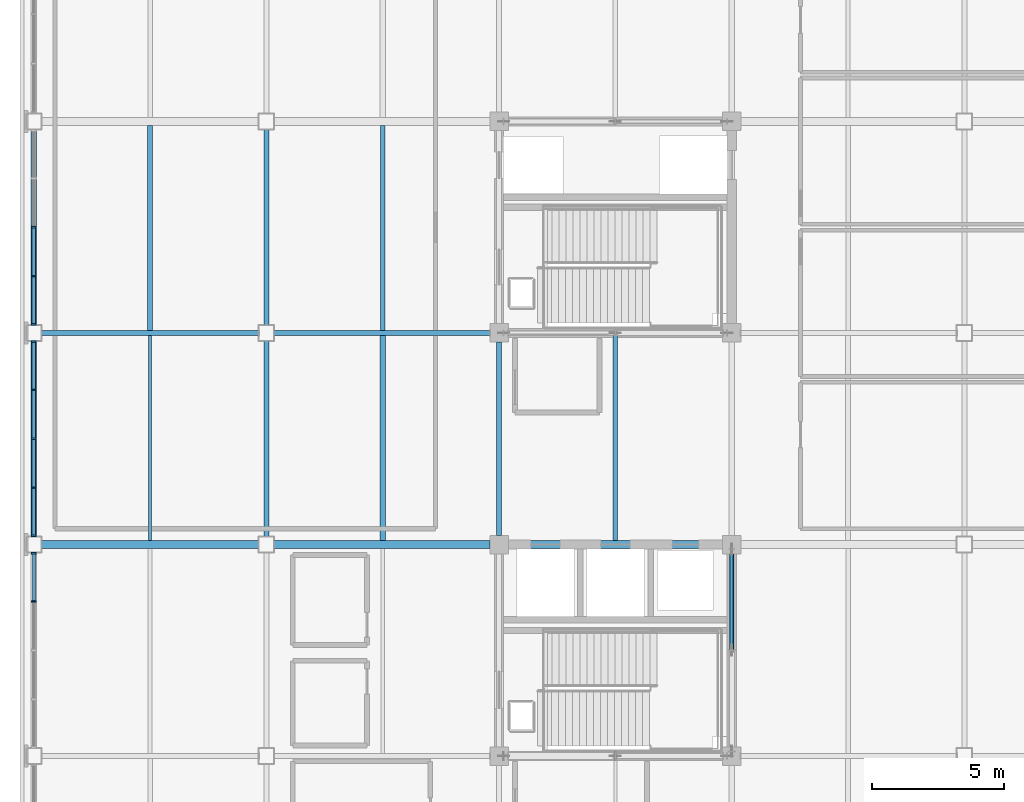
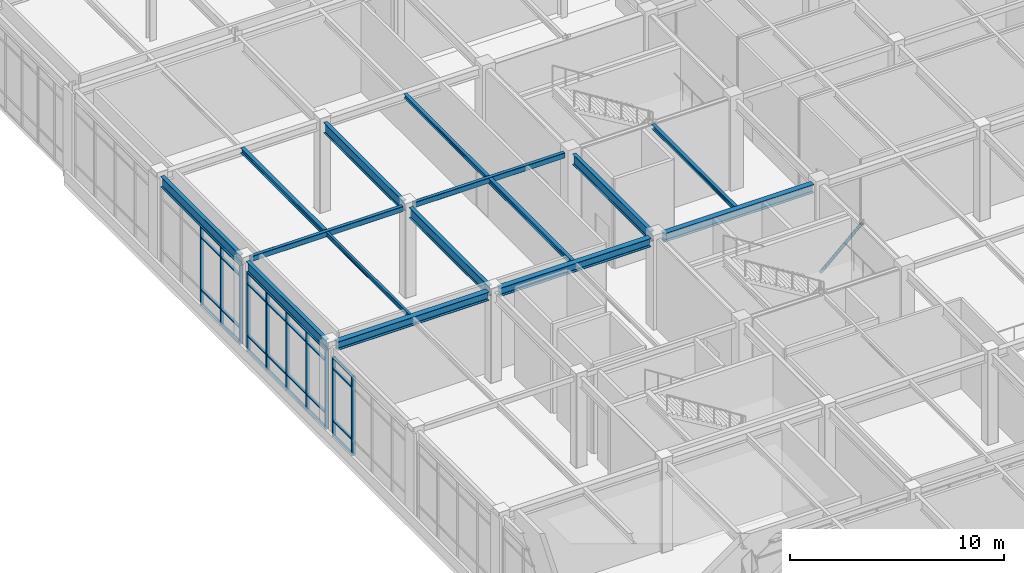
# One storey, part 38 of 184: 39 members, 15 beams, 3 elements without a shape of their own.
"""IFC4 building model written with IfcOpenShell, lengths in metres."""

from ifc_helpers import new_model, si_unit, direction, frame, origin, origin_2d, place, context, subcontext, project, spatial, rectangle, hollow_rectangle, hollow_circle, i_section, extrude, material, material_profile, profile_set, type_object, element, aggregate, save


model = new_model("IFC4")

# Units and contexts
model_context = context("Model", 3, precision=1e-05, world=origin(), true_north=direction((0.0, 1.0)))
body_context = subcontext(model_context, "Body", "Model", "MODEL_VIEW")
ifc_project = project(units=[si_unit("LENGTHUNIT", "METRE"), si_unit("AREAUNIT", "SQUARE_METRE"), si_unit("VOLUMEUNIT", "CUBIC_METRE"), si_unit("PLANEANGLEUNIT", "RADIAN"), si_unit("MASSUNIT", "GRAM", prefix="KILO")], contexts=[model_context])

# Site, building, storey
site_placement = place(None, origin())
site = spatial("IfcSite", under=ifc_project, at=site_placement, CompositionType="ELEMENT")
building_placement = place(site_placement, origin())
building = spatial("IfcBuilding", under=site, at=building_placement, Name="Zhaolan Boulevard Law Courts", CompositionType="ELEMENT")
storey_placement = place(building_placement, frame((0.0, 0.0, 5.39990234375)))
storey = spatial("IfcBuildingStorey", under=building, at=storey_placement, Name="L01", CompositionType="ELEMENT", Elevation=5.39990234375)

# Curtain wall, members
ifc_material_1 = material(Name="Thermally broken aluminium and low-E glazing", Category="aluminium")
curtain_wall_type_1 = type_object("IfcCurtainWallType", Name="CURTAIN WALL M21", PredefinedType="USERDEFINED", material=ifc_material_1)
curtain_wall_1_placement = place(storey_placement, origin())
curtain_wall_1 = element("IfcCurtainWall", 1, at=curtain_wall_1_placement, inside=storey, type_object=curtain_wall_type_1, Name="Curtain Wall CW-L01-141", ObjectType="CURTAIN WALL", PredefinedType="USERDEFINED")
ifc_material_2 = material(Name="Fluorocarbon-coated aluminium 6063-T6", Category="aluminium")
ifc_material_profile_1 = material_profile(ifc_material_2, rectangle(XDim=0.179931640625, YDim=0.06494140625, at=origin_2d()), Name="AL65x180")
ifc_profile_set_1 = profile_set([ifc_material_profile_1], Name="Fluorocarbon-coated aluminium 6063-T6")
member_type_1 = type_object("IfcMemberType", Name="CWMULLION 65X180", PredefinedType="MULLION", material=ifc_profile_set_1)
member_1_placement = place(storey_placement, frame((0.0, 53.66552734375, 0.0), z_axis=(0.0, 0.0, 1.0), x_axis=(1.0, 0.0, 0.0)))
member_1 = element("IfcMember", 2, at=member_1_placement, type_object=member_type_1, Name="CW-L01-141 mullion 1", PredefinedType="MULLION", context=body_context, shape_type="SweptSolid", body=[
    extrude(rectangle(XDim=0.179931640625, YDim=0.06494140625, at=origin_2d()), origin(), (0.0, 0.0, 1.0), 4.523193359375),
])
member_2_placement = place(storey_placement, frame((0.0, 51.84912109375, 0.0), z_axis=(0.0, 0.0, 1.0), x_axis=(1.0, 0.0, 0.0)))
member_2 = element("IfcMember", 3, at=member_2_placement, type_object=member_type_1, Name="CW-L01-141 mullion 2", PredefinedType="MULLION", context=body_context, shape_type="SweptSolid", body=[
    extrude(rectangle(XDim=0.179931640625, YDim=0.06494140625, at=origin_2d()), origin(), (0.0, 0.0, 1.0), 4.523193359375),
])

ifc_material_3 = material(Name="Thermally broken aluminium and low-E glazing", Category="aluminium")
curtain_wall_type_2 = type_object("IfcCurtainWallType", Name="CURTAIN WALL M22", PredefinedType="USERDEFINED", material=ifc_material_3)
curtain_wall_2_placement = place(storey_placement, origin())
curtain_wall_2 = element("IfcCurtainWall", 4, at=curtain_wall_2_placement, inside=storey, type_object=curtain_wall_type_2, Name="Curtain Wall CW-L01-142", ObjectType="CURTAIN WALL", PredefinedType="USERDEFINED")
member_3_placement = place(storey_placement, frame((0.0, 61.66552734375, 0.0), z_axis=(0.0, 0.0, 1.0), x_axis=(1.0, 0.0, 0.0)))
member_3 = element("IfcMember", 5, at=member_3_placement, type_object=member_type_1, Name="CW-L01-142 mullion 1", PredefinedType="MULLION", context=body_context, shape_type="SweptSolid", body=[
    extrude(rectangle(XDim=0.179931640625, YDim=0.06494140625, at=origin_2d()), origin(), (0.0, 0.0, 1.0), 4.523193359375),
])
member_4_placement = place(storey_placement, frame((0.0, 59.84912109375, 0.0), z_axis=(0.0, 0.0, 1.0), x_axis=(1.0, 0.0, 0.0)))
member_4 = element("IfcMember", 6, at=member_4_placement, type_object=member_type_1, Name="CW-L01-142 mullion 2", PredefinedType="MULLION", context=body_context, shape_type="SweptSolid", body=[
    extrude(rectangle(XDim=0.179931640625, YDim=0.06494140625, at=origin_2d()), origin(), (0.0, 0.0, 1.0), 4.523193359375),
])
member_5_placement = place(storey_placement, frame((0.0, 58.0, 0.0), z_axis=(0.0, 0.0, 1.0), x_axis=(1.0, 0.0, 0.0)))
member_5 = element("IfcMember", 7, at=member_5_placement, type_object=member_type_1, Name="CW-L01-142 mullion 3", PredefinedType="MULLION", context=body_context, shape_type="SweptSolid", body=[
    extrude(rectangle(XDim=0.179931640625, YDim=0.06494140625, at=origin_2d()), origin(), (0.0, 0.0, 1.0), 4.523193359375),
])
member_6_placement = place(storey_placement, frame((0.0, 56.15087890625, 0.0), z_axis=(0.0, 0.0, 1.0), x_axis=(1.0, 0.0, 0.0)))
member_6 = element("IfcMember", 8, at=member_6_placement, type_object=member_type_1, Name="CW-L01-142 mullion 4", PredefinedType="MULLION", context=body_context, shape_type="SweptSolid", body=[
    extrude(rectangle(XDim=0.179931640625, YDim=0.06494140625, at=origin_2d()), origin(), (0.0, 0.0, 1.0), 4.523193359375),
])
member_7_placement = place(storey_placement, frame((0.0, 54.33447265625, 0.0), z_axis=(0.0, 0.0, 1.0), x_axis=(1.0, 0.0, 0.0)))
member_7 = element("IfcMember", 9, at=member_7_placement, type_object=member_type_1, Name="CW-L01-142 mullion 5", PredefinedType="MULLION", context=body_context, shape_type="SweptSolid", body=[
    extrude(rectangle(XDim=0.179931640625, YDim=0.06494140625, at=origin_2d()), origin(), (0.0, 0.0, 1.0), 4.523193359375),
])

ifc_material_4 = material(Name="Thermally broken aluminium and low-E glazing", Category="aluminium")
curtain_wall_type_3 = type_object("IfcCurtainWallType", Name="CURTAIN WALL M23", PredefinedType="USERDEFINED", material=ifc_material_4)
curtain_wall_3_placement = place(storey_placement, origin())
curtain_wall_3 = element("IfcCurtainWall", 10, at=curtain_wall_3_placement, inside=storey, type_object=curtain_wall_type_3, Name="Curtain Wall CW-L01-143", ObjectType="CURTAIN WALL", PredefinedType="USERDEFINED")
member_8_placement = place(storey_placement, frame((0.0, 66.0, 0.0), z_axis=(0.0, 0.0, 1.0), x_axis=(1.0, 0.0, 0.0)))
member_8 = element("IfcMember", 11, at=member_8_placement, type_object=member_type_1, Name="CW-L01-143 mullion 3", PredefinedType="MULLION", context=body_context, shape_type="SweptSolid", body=[
    extrude(rectangle(XDim=0.179931640625, YDim=0.06494140625, at=origin_2d()), origin(), (0.0, 0.0, 1.0), 4.523193359375),
])
member_9_placement = place(storey_placement, frame((0.0, 64.15087890625, 0.0), z_axis=(0.0, 0.0, 1.0), x_axis=(1.0, 0.0, 0.0)))
member_9 = element("IfcMember", 12, at=member_9_placement, type_object=member_type_1, Name="CW-L01-143 mullion 4", PredefinedType="MULLION", context=body_context, shape_type="SweptSolid", body=[
    extrude(rectangle(XDim=0.179931640625, YDim=0.06494140625, at=origin_2d()), origin(), (0.0, 0.0, 1.0), 4.523193359375),
])
member_10_placement = place(storey_placement, frame((0.0, 62.33447265625, 0.0), z_axis=(0.0, 0.0, 1.0), x_axis=(1.0, 0.0, 0.0)))
member_10 = element("IfcMember", 13, at=member_10_placement, type_object=member_type_1, Name="CW-L01-143 mullion 5", PredefinedType="MULLION", context=body_context, shape_type="SweptSolid", body=[
    extrude(rectangle(XDim=0.179931640625, YDim=0.06494140625, at=origin_2d()), origin(), (0.0, 0.0, 1.0), 4.523193359375),
])

# Member
ifc_material_5 = material(Name="Fluorocarbon-coated aluminium 6063-T6", Category="aluminium")
ifc_material_profile_2 = material_profile(ifc_material_5, rectangle(XDim=0.139892578125, YDim=0.06494140625, at=origin_2d()), Name="AL65x140")
ifc_profile_set_2 = profile_set([ifc_material_profile_2], Name="Fluorocarbon-coated aluminium 6063-T6")
member_type_2 = type_object("IfcMemberType", Name="CWTRANSOM 65X140", PredefinedType="USERDEFINED", material=ifc_profile_set_2)
member_11_placement = place(storey_placement, frame((0.0, 53.633056640625, 0.03271484375), z_axis=(0.0, -1.0, 0.0), x_axis=(1.0, 0.0, 0.0)))
member_11 = element("IfcMember", 14, at=member_11_placement, type_object=member_type_2, Name="CW-L01-141 transom 1.1", ObjectType="TRANSOM", PredefinedType="USERDEFINED", context=body_context, shape_type="SweptSolid", body=[
    extrude(rectangle(XDim=0.139892578125, YDim=0.06494140625, at=origin_2d()), origin(), (0.0, 0.0, 1.0), 1.75146484375),
])

member_12_placement = place(storey_placement, frame((0.0, 53.633056640625, 0.900146484375), z_axis=(0.0, -1.0, 0.0), x_axis=(1.0, 0.0, 0.0)))
member_12 = element("IfcMember", 15, at=member_12_placement, type_object=member_type_2, Name="CW-L01-141 transom 1.2", ObjectType="TRANSOM", PredefinedType="USERDEFINED", context=body_context, shape_type="SweptSolid", body=[
    extrude(rectangle(XDim=0.139892578125, YDim=0.06494140625, at=origin_2d()), origin(), (0.0, 0.0, 1.0), 1.75146484375),
])

member_13_placement = place(storey_placement, frame((0.0, 53.633056640625, 3.873046875), z_axis=(0.0, -1.0, 0.0), x_axis=(1.0, 0.0, 0.0)))
member_13 = element("IfcMember", 16, at=member_13_placement, type_object=member_type_2, Name="CW-L01-141 transom 1.3", ObjectType="TRANSOM", PredefinedType="USERDEFINED", context=body_context, shape_type="SweptSolid", body=[
    extrude(rectangle(XDim=0.139892578125, YDim=0.06494140625, at=origin_2d()), origin(), (0.0, 0.0, 1.0), 1.75146484375),
])

member_14_placement = place(storey_placement, frame((0.0, 53.633056640625, 4.490478515625), z_axis=(0.0, -1.0, 0.0), x_axis=(1.0, 0.0, 0.0)))
member_14 = element("IfcMember", 17, at=member_14_placement, type_object=member_type_2, Name="CW-L01-141 transom 1.4", ObjectType="TRANSOM", PredefinedType="USERDEFINED", context=body_context, shape_type="SweptSolid", body=[
    extrude(rectangle(XDim=0.139892578125, YDim=0.06494140625, at=origin_2d()), origin(), (0.0, 0.0, 1.0), 1.75146484375),
])

aggregate(curtain_wall_1, [member_1, member_2, member_11, member_12, member_13, member_14])

member_15_placement = place(storey_placement, frame((0.0, 61.633056640625, 0.03271484375), z_axis=(0.0, -1.0, 0.0), x_axis=(1.0, 0.0, 0.0)))
member_15 = element("IfcMember", 18, at=member_15_placement, type_object=member_type_2, Name="CW-L01-142 transom 1.1", ObjectType="TRANSOM", PredefinedType="USERDEFINED", context=body_context, shape_type="SweptSolid", body=[
    extrude(rectangle(XDim=0.139892578125, YDim=0.06494140625, at=origin_2d()), origin(), (0.0, 0.0, 1.0), 1.75146484375),
])

member_16_placement = place(storey_placement, frame((0.0, 61.633056640625, 0.900146484375), z_axis=(0.0, -1.0, 0.0), x_axis=(1.0, 0.0, 0.0)))
member_16 = element("IfcMember", 19, at=member_16_placement, type_object=member_type_2, Name="CW-L01-142 transom 1.2", ObjectType="TRANSOM", PredefinedType="USERDEFINED", context=body_context, shape_type="SweptSolid", body=[
    extrude(rectangle(XDim=0.139892578125, YDim=0.06494140625, at=origin_2d()), origin(), (0.0, 0.0, 1.0), 1.75146484375),
])

member_17_placement = place(storey_placement, frame((0.0, 61.633056640625, 3.873046875), z_axis=(0.0, -1.0, 0.0), x_axis=(1.0, 0.0, 0.0)))
member_17 = element("IfcMember", 20, at=member_17_placement, type_object=member_type_2, Name="CW-L01-142 transom 1.3", ObjectType="TRANSOM", PredefinedType="USERDEFINED", context=body_context, shape_type="SweptSolid", body=[
    extrude(rectangle(XDim=0.139892578125, YDim=0.06494140625, at=origin_2d()), origin(), (0.0, 0.0, 1.0), 1.75146484375),
])

member_18_placement = place(storey_placement, frame((0.0, 61.633056640625, 4.490478515625), z_axis=(0.0, -1.0, 0.0), x_axis=(1.0, 0.0, 0.0)))
member_18 = element("IfcMember", 21, at=member_18_placement, type_object=member_type_2, Name="CW-L01-142 transom 1.4", ObjectType="TRANSOM", PredefinedType="USERDEFINED", context=body_context, shape_type="SweptSolid", body=[
    extrude(rectangle(XDim=0.139892578125, YDim=0.06494140625, at=origin_2d()), origin(), (0.0, 0.0, 1.0), 1.75146484375),
])

member_19_placement = place(storey_placement, frame((0.0, 59.81640625, 0.03271484375), z_axis=(0.0, -1.0, 0.0), x_axis=(1.0, 0.0, 0.0)))
member_19 = element("IfcMember", 22, at=member_19_placement, type_object=member_type_2, Name="CW-L01-142 transom 2.1", ObjectType="TRANSOM", PredefinedType="USERDEFINED", context=body_context, shape_type="SweptSolid", body=[
    extrude(rectangle(XDim=0.139892578125, YDim=0.06494140625, at=origin_2d()), origin(), (0.0, 0.0, 1.0), 1.783935546875),
])

member_20_placement = place(storey_placement, frame((0.0, 59.81640625, 0.900146484375), z_axis=(0.0, -1.0, 0.0), x_axis=(1.0, 0.0, 0.0)))
member_20 = element("IfcMember", 23, at=member_20_placement, type_object=member_type_2, Name="CW-L01-142 transom 2.2", ObjectType="TRANSOM", PredefinedType="USERDEFINED", context=body_context, shape_type="SweptSolid", body=[
    extrude(rectangle(XDim=0.139892578125, YDim=0.06494140625, at=origin_2d()), origin(), (0.0, 0.0, 1.0), 1.783935546875),
])

member_21_placement = place(storey_placement, frame((0.0, 59.81640625, 3.873046875), z_axis=(0.0, -1.0, 0.0), x_axis=(1.0, 0.0, 0.0)))
member_21 = element("IfcMember", 24, at=member_21_placement, type_object=member_type_2, Name="CW-L01-142 transom 2.3", ObjectType="TRANSOM", PredefinedType="USERDEFINED", context=body_context, shape_type="SweptSolid", body=[
    extrude(rectangle(XDim=0.139892578125, YDim=0.06494140625, at=origin_2d()), origin(), (0.0, 0.0, 1.0), 1.783935546875),
])

member_22_placement = place(storey_placement, frame((0.0, 59.81640625, 4.490478515625), z_axis=(0.0, -1.0, 0.0), x_axis=(1.0, 0.0, 0.0)))
member_22 = element("IfcMember", 25, at=member_22_placement, type_object=member_type_2, Name="CW-L01-142 transom 2.4", ObjectType="TRANSOM", PredefinedType="USERDEFINED", context=body_context, shape_type="SweptSolid", body=[
    extrude(rectangle(XDim=0.139892578125, YDim=0.06494140625, at=origin_2d()), origin(), (0.0, 0.0, 1.0), 1.783935546875),
])

member_23_placement = place(storey_placement, frame((0.0, 57.967529296875, 0.03271484375), z_axis=(0.0, -1.0, 0.0), x_axis=(1.0, 0.0, 0.0)))
member_23 = element("IfcMember", 26, at=member_23_placement, type_object=member_type_2, Name="CW-L01-142 transom 3.1", ObjectType="TRANSOM", PredefinedType="USERDEFINED", context=body_context, shape_type="SweptSolid", body=[
    extrude(rectangle(XDim=0.139892578125, YDim=0.06494140625, at=origin_2d()), origin(), (0.0, 0.0, 1.0), 1.783935546875),
])

member_24_placement = place(storey_placement, frame((0.0, 57.967529296875, 0.900146484375), z_axis=(0.0, -1.0, 0.0), x_axis=(1.0, 0.0, 0.0)))
member_24 = element("IfcMember", 27, at=member_24_placement, type_object=member_type_2, Name="CW-L01-142 transom 3.2", ObjectType="TRANSOM", PredefinedType="USERDEFINED", context=body_context, shape_type="SweptSolid", body=[
    extrude(rectangle(XDim=0.139892578125, YDim=0.06494140625, at=origin_2d()), origin(), (0.0, 0.0, 1.0), 1.783935546875),
])

member_25_placement = place(storey_placement, frame((0.0, 57.967529296875, 3.873046875), z_axis=(0.0, -1.0, 0.0), x_axis=(1.0, 0.0, 0.0)))
member_25 = element("IfcMember", 28, at=member_25_placement, type_object=member_type_2, Name="CW-L01-142 transom 3.3", ObjectType="TRANSOM", PredefinedType="USERDEFINED", context=body_context, shape_type="SweptSolid", body=[
    extrude(rectangle(XDim=0.139892578125, YDim=0.06494140625, at=origin_2d()), origin(), (0.0, 0.0, 1.0), 1.783935546875),
])

member_26_placement = place(storey_placement, frame((0.0, 57.967529296875, 4.490478515625), z_axis=(0.0, -1.0, 0.0), x_axis=(1.0, 0.0, 0.0)))
member_26 = element("IfcMember", 29, at=member_26_placement, type_object=member_type_2, Name="CW-L01-142 transom 3.4", ObjectType="TRANSOM", PredefinedType="USERDEFINED", context=body_context, shape_type="SweptSolid", body=[
    extrude(rectangle(XDim=0.139892578125, YDim=0.06494140625, at=origin_2d()), origin(), (0.0, 0.0, 1.0), 1.783935546875),
])

member_27_placement = place(storey_placement, frame((0.0, 56.118408203125, 0.03271484375), z_axis=(0.0, -1.0, 0.0), x_axis=(1.0, 0.0, 0.0)))
member_27 = element("IfcMember", 30, at=member_27_placement, type_object=member_type_2, Name="CW-L01-142 transom 4.1", ObjectType="TRANSOM", PredefinedType="USERDEFINED", context=body_context, shape_type="SweptSolid", body=[
    extrude(rectangle(XDim=0.139892578125, YDim=0.06494140625, at=origin_2d()), origin(), (0.0, 0.0, 1.0), 1.75146484375),
])

member_28_placement = place(storey_placement, frame((0.0, 56.118408203125, 0.900146484375), z_axis=(0.0, -1.0, 0.0), x_axis=(1.0, 0.0, 0.0)))
member_28 = element("IfcMember", 31, at=member_28_placement, type_object=member_type_2, Name="CW-L01-142 transom 4.2", ObjectType="TRANSOM", PredefinedType="USERDEFINED", context=body_context, shape_type="SweptSolid", body=[
    extrude(rectangle(XDim=0.139892578125, YDim=0.06494140625, at=origin_2d()), origin(), (0.0, 0.0, 1.0), 1.75146484375),
])

member_29_placement = place(storey_placement, frame((0.0, 56.118408203125, 3.873046875), z_axis=(0.0, -1.0, 0.0), x_axis=(1.0, 0.0, 0.0)))
member_29 = element("IfcMember", 32, at=member_29_placement, type_object=member_type_2, Name="CW-L01-142 transom 4.3", ObjectType="TRANSOM", PredefinedType="USERDEFINED", context=body_context, shape_type="SweptSolid", body=[
    extrude(rectangle(XDim=0.139892578125, YDim=0.06494140625, at=origin_2d()), origin(), (0.0, 0.0, 1.0), 1.75146484375),
])

member_30_placement = place(storey_placement, frame((0.0, 56.118408203125, 4.490478515625), z_axis=(0.0, -1.0, 0.0), x_axis=(1.0, 0.0, 0.0)))
member_30 = element("IfcMember", 33, at=member_30_placement, type_object=member_type_2, Name="CW-L01-142 transom 4.4", ObjectType="TRANSOM", PredefinedType="USERDEFINED", context=body_context, shape_type="SweptSolid", body=[
    extrude(rectangle(XDim=0.139892578125, YDim=0.06494140625, at=origin_2d()), origin(), (0.0, 0.0, 1.0), 1.75146484375),
])

aggregate(curtain_wall_2, [member_3, member_4, member_5, member_6, member_7, member_15, member_16, member_17, member_18, member_19, member_20, member_21, member_22, member_23, member_24, member_25, member_26, member_27, member_28, member_29, member_30])

member_31_placement = place(storey_placement, frame((0.0, 65.967529296875, 0.03271484375), z_axis=(0.0, -1.0, 0.0), x_axis=(1.0, 0.0, 0.0)))
member_31 = element("IfcMember", 34, at=member_31_placement, type_object=member_type_2, Name="CW-L01-143 transom 3.1", ObjectType="TRANSOM", PredefinedType="USERDEFINED", context=body_context, shape_type="SweptSolid", body=[
    extrude(rectangle(XDim=0.139892578125, YDim=0.06494140625, at=origin_2d()), origin(), (0.0, 0.0, 1.0), 1.783935546875),
])

member_32_placement = place(storey_placement, frame((0.0, 65.967529296875, 0.900146484375), z_axis=(0.0, -1.0, 0.0), x_axis=(1.0, 0.0, 0.0)))
member_32 = element("IfcMember", 35, at=member_32_placement, type_object=member_type_2, Name="CW-L01-143 transom 3.2", ObjectType="TRANSOM", PredefinedType="USERDEFINED", context=body_context, shape_type="SweptSolid", body=[
    extrude(rectangle(XDim=0.139892578125, YDim=0.06494140625, at=origin_2d()), origin(), (0.0, 0.0, 1.0), 1.783935546875),
])

member_33_placement = place(storey_placement, frame((0.0, 65.967529296875, 3.873046875), z_axis=(0.0, -1.0, 0.0), x_axis=(1.0, 0.0, 0.0)))
member_33 = element("IfcMember", 36, at=member_33_placement, type_object=member_type_2, Name="CW-L01-143 transom 3.3", ObjectType="TRANSOM", PredefinedType="USERDEFINED", context=body_context, shape_type="SweptSolid", body=[
    extrude(rectangle(XDim=0.139892578125, YDim=0.06494140625, at=origin_2d()), origin(), (0.0, 0.0, 1.0), 1.783935546875),
])

member_34_placement = place(storey_placement, frame((0.0, 65.967529296875, 4.490478515625), z_axis=(0.0, -1.0, 0.0), x_axis=(1.0, 0.0, 0.0)))
member_34 = element("IfcMember", 37, at=member_34_placement, type_object=member_type_2, Name="CW-L01-143 transom 3.4", ObjectType="TRANSOM", PredefinedType="USERDEFINED", context=body_context, shape_type="SweptSolid", body=[
    extrude(rectangle(XDim=0.139892578125, YDim=0.06494140625, at=origin_2d()), origin(), (0.0, 0.0, 1.0), 1.783935546875),
])

member_35_placement = place(storey_placement, frame((0.0, 64.118408203125, 0.03271484375), z_axis=(0.0, -1.0, 0.0), x_axis=(1.0, 0.0, 0.0)))
member_35 = element("IfcMember", 38, at=member_35_placement, type_object=member_type_2, Name="CW-L01-143 transom 4.1", ObjectType="TRANSOM", PredefinedType="USERDEFINED", context=body_context, shape_type="SweptSolid", body=[
    extrude(rectangle(XDim=0.139892578125, YDim=0.06494140625, at=origin_2d()), origin(), (0.0, 0.0, 1.0), 1.75146484375),
])

member_36_placement = place(storey_placement, frame((0.0, 64.118408203125, 0.900146484375), z_axis=(0.0, -1.0, 0.0), x_axis=(1.0, 0.0, 0.0)))
member_36 = element("IfcMember", 39, at=member_36_placement, type_object=member_type_2, Name="CW-L01-143 transom 4.2", ObjectType="TRANSOM", PredefinedType="USERDEFINED", context=body_context, shape_type="SweptSolid", body=[
    extrude(rectangle(XDim=0.139892578125, YDim=0.06494140625, at=origin_2d()), origin(), (0.0, 0.0, 1.0), 1.75146484375),
])

member_37_placement = place(storey_placement, frame((0.0, 64.118408203125, 3.873046875), z_axis=(0.0, -1.0, 0.0), x_axis=(1.0, 0.0, 0.0)))
member_37 = element("IfcMember", 40, at=member_37_placement, type_object=member_type_2, Name="CW-L01-143 transom 4.3", ObjectType="TRANSOM", PredefinedType="USERDEFINED", context=body_context, shape_type="SweptSolid", body=[
    extrude(rectangle(XDim=0.139892578125, YDim=0.06494140625, at=origin_2d()), origin(), (0.0, 0.0, 1.0), 1.75146484375),
])

member_38_placement = place(storey_placement, frame((0.0, 64.118408203125, 4.490478515625), z_axis=(0.0, -1.0, 0.0), x_axis=(1.0, 0.0, 0.0)))
member_38 = element("IfcMember", 41, at=member_38_placement, type_object=member_type_2, Name="CW-L01-143 transom 4.4", ObjectType="TRANSOM", PredefinedType="USERDEFINED", context=body_context, shape_type="SweptSolid", body=[
    extrude(rectangle(XDim=0.139892578125, YDim=0.06494140625, at=origin_2d()), origin(), (0.0, 0.0, 1.0), 1.75146484375),
])

aggregate(curtain_wall_3, [member_8, member_9, member_10, member_31, member_32, member_33, member_34, member_35, member_36, member_37, member_38])

# Beams
ifc_material_6 = material(Name="Structural steel Q355B", Category="steel")
ifc_material_profile_3 = material_profile(ifc_material_6, i_section(OverallWidth=0.300048828125, OverallDepth=0.488037109375, WebThickness=0.010986328125, FlangeThickness=0.01806640625, FilletRadius=0.02197265625, at=origin_2d()), Name="HM488x300")
ifc_profile_set_3 = profile_set([ifc_material_profile_3], Name="Structural steel Q355B")
beam_type_1 = type_object("IfcBeamType", Name="GIRDER HM500", PredefinedType="BEAM", material=ifc_profile_set_3)
beam_1_placement = place(storey_placement, frame((0.2958984375, 54.0, 4.89404296875), z_axis=(1.0, 0.0, 0.0), x_axis=(0.0, 1.0, 0.0)))
element("IfcBeam", 42, at=beam_1_placement, inside=storey, type_object=beam_type_1, Name="Beam BX-L02-1-2-H", PredefinedType="BEAM", context=body_context, shape_type="SweptSolid", body=[
    extrude(i_section(OverallWidth=0.300048828125, OverallDepth=0.488037109375, WebThickness=0.010986328125, FlangeThickness=0.01806640625, FilletRadius=0.02197265625, at=origin_2d()), origin(), (0.0, 0.0, 1.0), 8.2080078125),
])
beam_2_placement = place(storey_placement, frame((9.095947265625, 54.0, 4.89404296875), z_axis=(1.0, 0.0, 0.0), x_axis=(0.0, 1.0, 0.0)))
element("IfcBeam", 43, at=beam_2_placement, inside=storey, type_object=beam_type_1, Name="Beam BX-L02-2-3-H", PredefinedType="BEAM", context=body_context, shape_type="SweptSolid", body=[
    extrude(i_section(OverallWidth=0.300048828125, OverallDepth=0.488037109375, WebThickness=0.010986328125, FlangeThickness=0.01806640625, FilletRadius=0.02197265625, at=origin_2d()), origin(), (0.0, 0.0, 1.0), 8.157958984375),
])
beam_3_placement = place(storey_placement, frame((17.946044921875, 54.0, 4.89404296875), z_axis=(1.0, 0.0, 0.0), x_axis=(0.0, 1.0, 0.0)))
element("IfcBeam", 44, at=beam_3_placement, inside=storey, type_object=beam_type_1, Name="Beam BX-L02-3-4-H", PredefinedType="BEAM", context=body_context, shape_type="SweptSolid", body=[
    extrude(i_section(OverallWidth=0.300048828125, OverallDepth=0.488037109375, WebThickness=0.010986328125, FlangeThickness=0.01806640625, FilletRadius=0.02197265625, at=origin_2d()), origin(), (0.0, 0.0, 1.0), 8.10791015625),
])
ifc_material_7 = material(Name="Structural steel Q355B", Category="steel")
ifc_material_profile_4 = material_profile(ifc_material_7, i_section(OverallWidth=0.199951171875, OverallDepth=0.60009765625, WebThickness=0.010986328125, FlangeThickness=0.01708984375, FilletRadius=0.02001953125, at=origin_2d()), Name="HN600x200")
ifc_profile_set_4 = profile_set([ifc_material_profile_4], Name="Structural steel Q355B")
beam_type_2 = type_object("IfcBeamType", Name="GIRDER HN600", PredefinedType="BEAM", material=ifc_profile_set_4)
for number, where, z_axis, x_axis, name in (
    (45, (0.0, 54.2958984375, 4.838134765625), (0.0, 1.0, 0.0), (-1.0, 0.0, 0.0), "Beam BY-L02-1-H-J"),
    (46, (0.0, 62.2958984375, 4.838134765625), (0.0, 1.0, 0.0), (-1.0, 0.0, 0.0), "Beam BY-L02-1-J-K"),
    (47, (8.800048828125, 54.2958984375, 4.838134765625), (0.0, 1.0, 0.0), (-1.0, 0.0, 0.0), "Beam BY-L02-2-H-J"),
    (48, (8.800048828125, 62.2958984375, 4.838134765625), (0.0, 1.0, 0.0), (-1.0, 0.0, 0.0), "Beam BY-L02-2-J-K"),
):
    element("IfcBeam", number, at=place(storey_placement, frame(where, z_axis=z_axis, x_axis=x_axis)), inside=storey, type_object=beam_type_2, Name=name, PredefinedType="BEAM", context=body_context, shape_type="SweptSolid", body=[
        extrude(i_section(OverallWidth=0.199951171875, OverallDepth=0.60009765625, WebThickness=0.010986328125, FlangeThickness=0.01708984375, FilletRadius=0.02001953125, at=origin_2d()), origin(), (0.0, 0.0, 1.0), 7.408203125),
    ])
beam_4_placement = place(storey_placement, frame((17.60009765625, 54.345947265625, 4.838134765625), z_axis=(0.0, 1.0, 0.0), x_axis=(-1.0, 0.0, 0.0)))
element("IfcBeam", 49, at=beam_4_placement, inside=storey, type_object=beam_type_2, Name="Beam BY-L02-3-H-J", PredefinedType="BEAM", context=body_context, shape_type="SweptSolid", body=[
    extrude(i_section(OverallWidth=0.199951171875, OverallDepth=0.60009765625, WebThickness=0.010986328125, FlangeThickness=0.01708984375, FilletRadius=0.02001953125, at=origin_2d()), origin(), (0.0, 0.0, 1.0), 7.30810546875),
])
ifc_material_8 = material(Name="Structural steel Q355B", Category="steel")
ifc_material_profile_5 = material_profile(ifc_material_8, i_section(OverallWidth=0.175048828125, OverallDepth=0.243896484375, WebThickness=0.007080078125, FlangeThickness=0.010986328125, FilletRadius=0.012939453125, at=origin_2d()), Name="HM244x175")
ifc_profile_set_5 = profile_set([ifc_material_profile_5], Name="Structural steel Q355B")
beam_type_3 = type_object("IfcBeamType", Name="JOIST HM244", PredefinedType="JOIST", material=ifc_profile_set_5)
for number, where, z_axis, x_axis, name in (
    (50, (13.199951171875, 62.095947265625, 5.01611328125), (0.0, 1.0, 0.0), (-1.0, 0.0, 0.0), "Composite Joist J-L02-2J"),
    (51, (22.0, 54.14599609375, 5.01611328125), (0.0, 1.0, 0.0), (-1.0, 0.0, 0.0), "Composite Joist J-L02-3H"),
):
    element("IfcBeam", number, at=place(storey_placement, frame(where, z_axis=z_axis, x_axis=x_axis)), inside=storey, type_object=beam_type_3, Name=name, PredefinedType="JOIST", context=body_context, shape_type="SweptSolid", body=[
        extrude(i_section(OverallWidth=0.175048828125, OverallDepth=0.243896484375, WebThickness=0.007080078125, FlangeThickness=0.010986328125, FilletRadius=0.012939453125, at=origin_2d()), origin(), (0.0, 0.0, 1.0), 7.758056640625),
    ])
ifc_material_9 = material(Name="Structural steel Q355B", Category="steel")
ifc_material_profile_6 = material_profile(ifc_material_9, i_section(OverallWidth=0.199951171875, OverallDepth=0.2939453125, WebThickness=0.008056640625, FlangeThickness=0.011962890625, FilletRadius=0.01611328125, at=origin_2d()), Name="HM294x200")
ifc_profile_set_6 = profile_set([ifc_material_profile_6], Name="Structural steel Q355B")
beam_type_4 = type_object("IfcBeamType", Name="JOIST HM294", PredefinedType="JOIST", material=ifc_profile_set_6)
for number, where, z_axis, x_axis, name in (
    (52, (4.39990234375, 62.095947265625, 4.9912109375), (0.0, 1.0, 0.0), (-1.0, 0.0, 0.0), "Composite Joist J-L02-1J"),
    (53, (13.199951171875, 54.14599609375, 4.9912109375), (0.0, 1.0, 0.0), (-1.0, 0.0, 0.0), "Composite Joist J-L02-2H"),
):
    element("IfcBeam", number, at=place(storey_placement, frame(where, z_axis=z_axis, x_axis=x_axis)), inside=storey, type_object=beam_type_4, Name=name, PredefinedType="JOIST", context=body_context, shape_type="SweptSolid", body=[
        extrude(i_section(OverallWidth=0.199951171875, OverallDepth=0.2939453125, WebThickness=0.008056640625, FlangeThickness=0.011962890625, FilletRadius=0.01611328125, at=origin_2d()), origin(), (0.0, 0.0, 1.0), 7.758056640625),
    ])
ifc_material_10 = material(Name="Structural steel Q355B", Category="steel")
ifc_material_profile_7 = material_profile(ifc_material_10, i_section(OverallWidth=0.125, OverallDepth=0.25, WebThickness=0.006103515625, FlangeThickness=0.009033203125, FilletRadius=0.010009765625, at=origin_2d()), Name="HN250x125")
ifc_profile_set_7 = profile_set([ifc_material_profile_7], Name="Structural steel Q355B")
beam_type_5 = type_object("IfcBeamType", Name="JOIST HN250", PredefinedType="JOIST", material=ifc_profile_set_7)
beam_5_placement = place(storey_placement, frame((4.39990234375, 54.14599609375, 5.01318359375), z_axis=(0.0, 1.0, 0.0), x_axis=(-1.0, 0.0, 0.0)))
element("IfcBeam", 54, at=beam_5_placement, inside=storey, type_object=beam_type_5, Name="Composite Joist J-L02-1H", PredefinedType="JOIST", context=body_context, shape_type="SweptSolid", body=[
    extrude(i_section(OverallWidth=0.125, OverallDepth=0.25, WebThickness=0.006103515625, FlangeThickness=0.009033203125, FilletRadius=0.010009765625, at=origin_2d()), origin(), (0.0, 0.0, 1.0), 7.758056640625),
])
ifc_material_11 = material(Name="Structural steel Q355B", Category="steel")
ifc_material_profile_8 = material_profile(ifc_material_11, hollow_rectangle(XDim=0.199951171875, YDim=0.300048828125, WallThickness=0.011962890625, InnerFilletRadius=0.011962890625, OuterFilletRadius=0.02392578125, at=origin_2d()), Name="HSS300x200x12")
ifc_profile_set_8 = profile_set([ifc_material_profile_8], Name="Structural steel Q355B")
beam_type_6 = type_object("IfcBeamType", Name="SPANDREL HSS300", PredefinedType="SPANDREL", material=ifc_profile_set_8)
beam_6_placement = place(storey_placement, frame((0.2958984375, 62.0, 4.988037109375), z_axis=(1.0, 0.0, 0.0), x_axis=(0.0, 1.0, 0.0)))
element("IfcBeam", 55, at=beam_6_placement, inside=storey, type_object=beam_type_6, Name="Beam BX-L02-1-2-J", PredefinedType="SPANDREL", context=body_context, shape_type="SweptSolid", body=[
    extrude(hollow_rectangle(XDim=0.199951171875, YDim=0.300048828125, WallThickness=0.011962890625, InnerFilletRadius=0.011962890625, OuterFilletRadius=0.02392578125, at=origin_2d()), origin(), (0.0, 0.0, 1.0), 8.2080078125),
])
beam_7_placement = place(storey_placement, frame((9.095947265625, 62.0, 4.988037109375), z_axis=(1.0, 0.0, 0.0), x_axis=(0.0, 1.0, 0.0)))
element("IfcBeam", 56, at=beam_7_placement, inside=storey, type_object=beam_type_6, Name="Beam BX-L02-2-3-J", PredefinedType="SPANDREL", context=body_context, shape_type="SweptSolid", body=[
    extrude(hollow_rectangle(XDim=0.199951171875, YDim=0.300048828125, WallThickness=0.011962890625, InnerFilletRadius=0.011962890625, OuterFilletRadius=0.02392578125, at=origin_2d()), origin(), (0.0, 0.0, 1.0), 8.157958984375),
])

# Member
ifc_material_12 = material(Name="Structural steel Q355B", Category="steel")
ifc_material_profile_9 = material_profile(ifc_material_12, hollow_circle(Radius=0.083984375, WallThickness=0.008056640625, at=origin_2d()), Name="CHS168x8")
ifc_profile_set_9 = profile_set([ifc_material_profile_9], Name="Structural steel Q355B")
member_type_3 = type_object("IfcMemberType", Name="STRUT CHS168", PredefinedType="BRACE", material=ifc_profile_set_9)
member_39_placement = place(storey_placement, frame((26.39990234375, 53.820068359375, 0.030029296875), z_axis=(0.0, -0.600251625626, 0.799811218935), x_axis=(1.0, 0.0, 0.0)))
element("IfcMember", 57, at=member_39_placement, inside=storey, type_object=member_type_3, Name="Core Brace BR-W1-L01-E2", PredefinedType="BRACE", context=body_context, shape_type="SweptSolid", body=[
    extrude(hollow_circle(Radius=0.083984375, WallThickness=0.008056640625, at=origin_2d()), origin(), (0.0, 0.0, 1.0), 6.364013671875),
])

save(model, "model.ifc")
